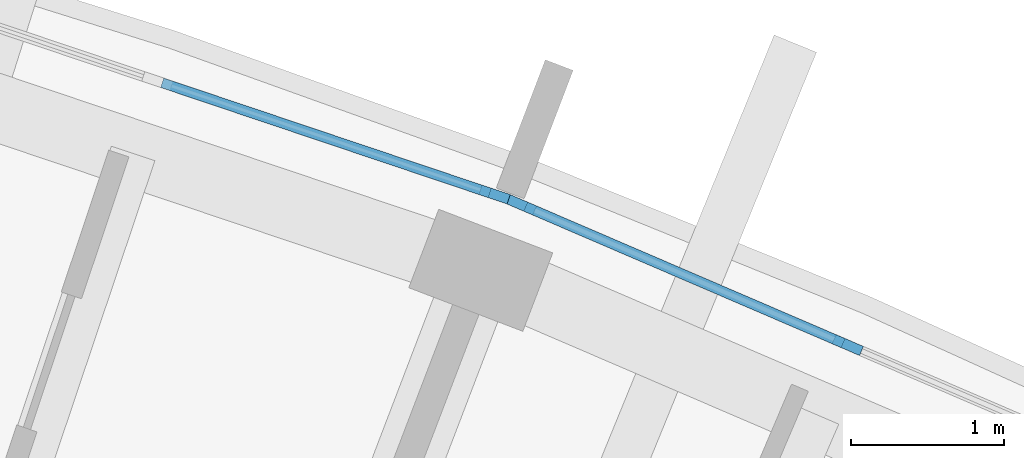
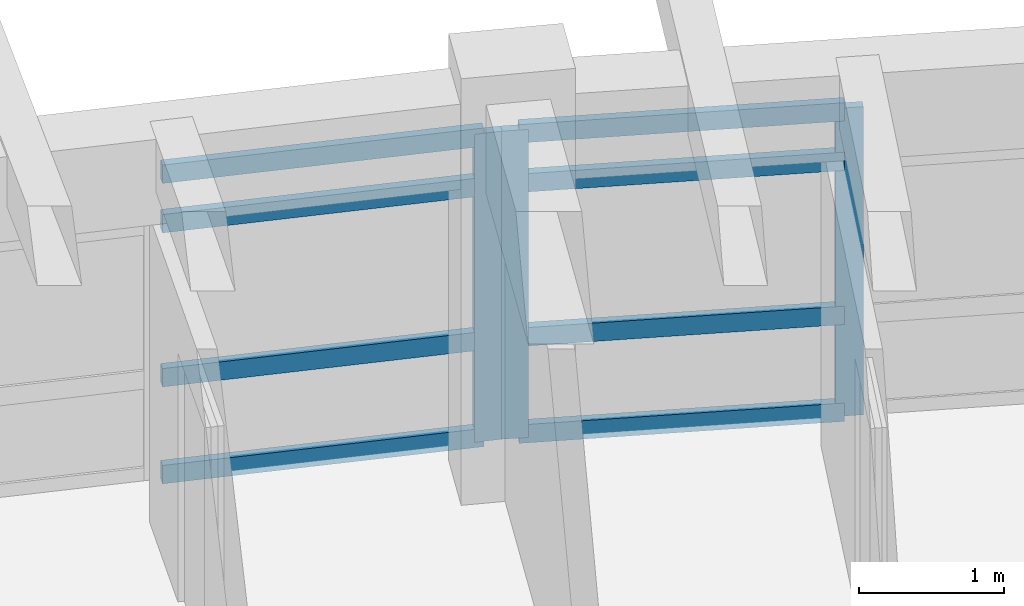
# One storey, part 34 of 83: 11 members, 2 elements without a shape of their own.
"""IFC4 building model written with IfcOpenShell, lengths in metres."""

from ifc_helpers import new_model, si_unit, direction, frame, origin, origin_2d, place, context, subcontext, project, spatial, rectangle, extrude, material, material_profile, profile_set, type_object, element, aggregate, save


model = new_model("IFC4")

# Units and contexts
model_context = context("Model", 3, precision=1e-05, world=origin(), true_north=direction((0.0, 1.0)))
body_context = subcontext(model_context, "Body", "Model", "MODEL_VIEW")
ifc_project = project(units=[si_unit("LENGTHUNIT", "METRE"), si_unit("AREAUNIT", "SQUARE_METRE"), si_unit("VOLUMEUNIT", "CUBIC_METRE"), si_unit("PLANEANGLEUNIT", "RADIAN"), si_unit("MASSUNIT", "GRAM", prefix="KILO")], contexts=[model_context])

# Site, building, storey
site_placement = place(None, origin())
site = spatial("IfcSite", under=ifc_project, at=site_placement, CompositionType="ELEMENT")
building_placement = place(site_placement, origin())
building = spatial("IfcBuilding", under=site, at=building_placement, Name="Zimvara Arc Housing Community", CompositionType="ELEMENT")
storey_placement = place(building_placement, frame((0.0, 0.0, 4.5)))
storey = spatial("IfcBuildingStorey", under=building, at=storey_placement, Name="L01", CompositionType="ELEMENT", Elevation=4.5)

# Curtain wall, member
ifc_material_1 = material(Name="Anodised Aluminium AW-6063", Category="aluminium")
curtain_wall_type_1 = type_object("IfcCurtainWallType", Name="CW-SYS-05", PredefinedType="USERDEFINED", material=ifc_material_1)
curtain_wall_1_placement = place(storey_placement, origin())
curtain_wall_1 = element("IfcCurtainWall", 1, at=curtain_wall_1_placement, inside=storey, type_object=curtain_wall_type_1, Name="cw:blkB:L01:out:b3", ObjectType="CURTAIN WALL", PredefinedType="USERDEFINED")
ifc_material_2 = material(Name="Anodised Aluminium AW-6063", Category="aluminium")
ifc_material_profile_1 = material_profile(ifc_material_2, rectangle(XDim=0.06494140625, YDim=0.195068359375, at=origin_2d()), Name="ALU 65x195")
ifc_profile_set_1 = profile_set([ifc_material_profile_1], Name="Anodised Aluminium AW-6063")
member_type_1 = type_object("IfcMemberType", Name="CWM-65x180", PredefinedType="MULLION", material=ifc_profile_set_1)
member_1_placement = place(storey_placement, frame((66.11474609375, 99.9951171875, 0.0), z_axis=(0.0, 0.0, 1.0), x_axis=(0.318628583921, 0.947879647164, 0.0)))
member_1 = element("IfcMember", 2, at=member_1_placement, type_object=member_type_1, Name="CW05 mullion 3", PredefinedType="MULLION", context=body_context, shape_type="SweptSolid", body=[
    extrude(rectangle(XDim=0.06494140625, YDim=0.195068359375, at=origin_2d()), origin(), (0.0, 0.0, 1.0), 2.60009765625),
])

# Curtain wall, members
ifc_material_3 = material(Name="Anodised Aluminium AW-6063", Category="aluminium")
curtain_wall_type_2 = type_object("IfcCurtainWallType", Name="CW-SYS-07", PredefinedType="USERDEFINED", material=ifc_material_3)
curtain_wall_2_placement = place(storey_placement, origin())
curtain_wall_2 = element("IfcCurtainWall", 3, at=curtain_wall_2_placement, inside=storey, type_object=curtain_wall_type_2, Name="cw:blkB:L01:out:b4", ObjectType="CURTAIN WALL", PredefinedType="USERDEFINED")
member_2_placement = place(storey_placement, frame((66.287353515625, 99.92919921875, 0.0), z_axis=(0.0, 0.0, 1.0), x_axis=(0.394904211998, 0.918722299363, 0.0)))
member_2 = element("IfcMember", 4, at=member_2_placement, type_object=member_type_1, Name="CW07 mullion 1", PredefinedType="MULLION", context=body_context, shape_type="SweptSolid", body=[
    extrude(rectangle(XDim=0.06494140625, YDim=0.195068359375, at=origin_2d()), origin(), (0.0, 0.0, 1.0), 2.60009765625),
])
member_3_placement = place(storey_placement, frame((68.429931640625, 99.00830078125, 0.0), z_axis=(0.0, 0.0, 1.0), x_axis=(0.394904211998, 0.918722299363, 0.0)))
member_3 = element("IfcMember", 5, at=member_3_placement, type_object=member_type_1, Name="CW07 mullion 2", PredefinedType="MULLION", context=body_context, shape_type="SweptSolid", body=[
    extrude(rectangle(XDim=0.06494140625, YDim=0.195068359375, at=origin_2d()), origin(), (0.0, 0.0, 1.0), 2.60009765625),
])

# Member
ifc_material_4 = material(Name="Anodised Aluminium AW-6063", Category="aluminium")
ifc_material_profile_2 = material_profile(ifc_material_4, rectangle(XDim=0.06494140625, YDim=0.155029296875, at=origin_2d()), Name="ALU 65x155")
ifc_profile_set_2 = profile_set([ifc_material_profile_2], Name="Anodised Aluminium AW-6063")
member_type_2 = type_object("IfcMemberType", Name="CWT-65x140", PredefinedType="USERDEFINED", material=ifc_profile_set_2)
member_4_placement = place(storey_placement, frame((63.935302734375, 100.727783203125, 0.032470703125), z_axis=(0.947861605379, -0.318682250916, 0.0), x_axis=(0.318682250916, 0.947861605379, 0.0)))
member_4 = element("IfcMember", 6, at=member_4_placement, type_object=member_type_2, Name="CW05 transom 2.1", ObjectType="TRANSOM", PredefinedType="USERDEFINED", context=body_context, shape_type="SweptSolid", body=[
    extrude(rectangle(XDim=0.06494140625, YDim=0.155029296875, at=origin_2d()), origin(), (0.0, 0.0, 1.0), 2.266845703125),
])

member_5_placement = place(storey_placement, frame((63.935302734375, 100.727783203125, 0.85009765625), z_axis=(0.947861605379, -0.318682250916, 0.0), x_axis=(0.318682250916, 0.947861605379, 0.0)))
member_5 = element("IfcMember", 7, at=member_5_placement, type_object=member_type_2, Name="CW05 transom 2.2", ObjectType="TRANSOM", PredefinedType="USERDEFINED", context=body_context, shape_type="SweptSolid", body=[
    extrude(rectangle(XDim=0.06494140625, YDim=0.155029296875, at=origin_2d()), origin(), (0.0, 0.0, 1.0), 2.266845703125),
])

member_6_placement = place(storey_placement, frame((63.935302734375, 100.727783203125, 2.14990234375), z_axis=(0.947861605379, -0.318682250916, 0.0), x_axis=(0.318682250916, 0.947861605379, 0.0)))
member_6 = element("IfcMember", 8, at=member_6_placement, type_object=member_type_2, Name="CW05 transom 2.3", ObjectType="TRANSOM", PredefinedType="USERDEFINED", context=body_context, shape_type="SweptSolid", body=[
    extrude(rectangle(XDim=0.06494140625, YDim=0.155029296875, at=origin_2d()), origin(), (0.0, 0.0, 1.0), 2.266845703125),
])

member_7_placement = place(storey_placement, frame((63.935302734375, 100.727783203125, 2.5673828125), z_axis=(0.947861605379, -0.318682250916, 0.0), x_axis=(0.318682250916, 0.947861605379, 0.0)))
member_7 = element("IfcMember", 9, at=member_7_placement, type_object=member_type_2, Name="CW05 transom 2.4", ObjectType="TRANSOM", PredefinedType="USERDEFINED", context=body_context, shape_type="SweptSolid", body=[
    extrude(rectangle(XDim=0.06494140625, YDim=0.155029296875, at=origin_2d()), origin(), (0.0, 0.0, 1.0), 2.266845703125),
])

aggregate(curtain_wall_1, [member_1, member_4, member_5, member_6, member_7])

member_8_placement = place(storey_placement, frame((66.3173828125, 99.916259765625, 0.032470703125), z_axis=(0.918704360712, -0.394945942641, 0.0), x_axis=(0.394945942641, 0.918704360712, 0.0)))
member_8 = element("IfcMember", 10, at=member_8_placement, type_object=member_type_2, Name="CW07 transom 1.1", ObjectType="TRANSOM", PredefinedType="USERDEFINED", context=body_context, shape_type="SweptSolid", body=[
    extrude(rectangle(XDim=0.06494140625, YDim=0.155029296875, at=origin_2d()), origin(), (0.0, 0.0, 1.0), 2.266845703125),
])

member_9_placement = place(storey_placement, frame((66.3173828125, 99.916259765625, 0.85009765625), z_axis=(0.918704360712, -0.394945942641, 0.0), x_axis=(0.394945942641, 0.918704360712, 0.0)))
member_9 = element("IfcMember", 11, at=member_9_placement, type_object=member_type_2, Name="CW07 transom 1.2", ObjectType="TRANSOM", PredefinedType="USERDEFINED", context=body_context, shape_type="SweptSolid", body=[
    extrude(rectangle(XDim=0.06494140625, YDim=0.155029296875, at=origin_2d()), origin(), (0.0, 0.0, 1.0), 2.266845703125),
])

member_10_placement = place(storey_placement, frame((66.3173828125, 99.916259765625, 2.14990234375), z_axis=(0.918704360712, -0.394945942641, 0.0), x_axis=(0.394945942641, 0.918704360712, 0.0)))
member_10 = element("IfcMember", 12, at=member_10_placement, type_object=member_type_2, Name="CW07 transom 1.3", ObjectType="TRANSOM", PredefinedType="USERDEFINED", context=body_context, shape_type="SweptSolid", body=[
    extrude(rectangle(XDim=0.06494140625, YDim=0.155029296875, at=origin_2d()), origin(), (0.0, 0.0, 1.0), 2.266845703125),
])

member_11_placement = place(storey_placement, frame((66.3173828125, 99.916259765625, 2.5673828125), z_axis=(0.918704360712, -0.394945942641, 0.0), x_axis=(0.394945942641, 0.918704360712, 0.0)))
member_11 = element("IfcMember", 13, at=member_11_placement, type_object=member_type_2, Name="CW07 transom 1.4", ObjectType="TRANSOM", PredefinedType="USERDEFINED", context=body_context, shape_type="SweptSolid", body=[
    extrude(rectangle(XDim=0.06494140625, YDim=0.155029296875, at=origin_2d()), origin(), (0.0, 0.0, 1.0), 2.266845703125),
])

aggregate(curtain_wall_2, [member_2, member_3, member_8, member_9, member_10, member_11])

save(model, "model.ifc")
